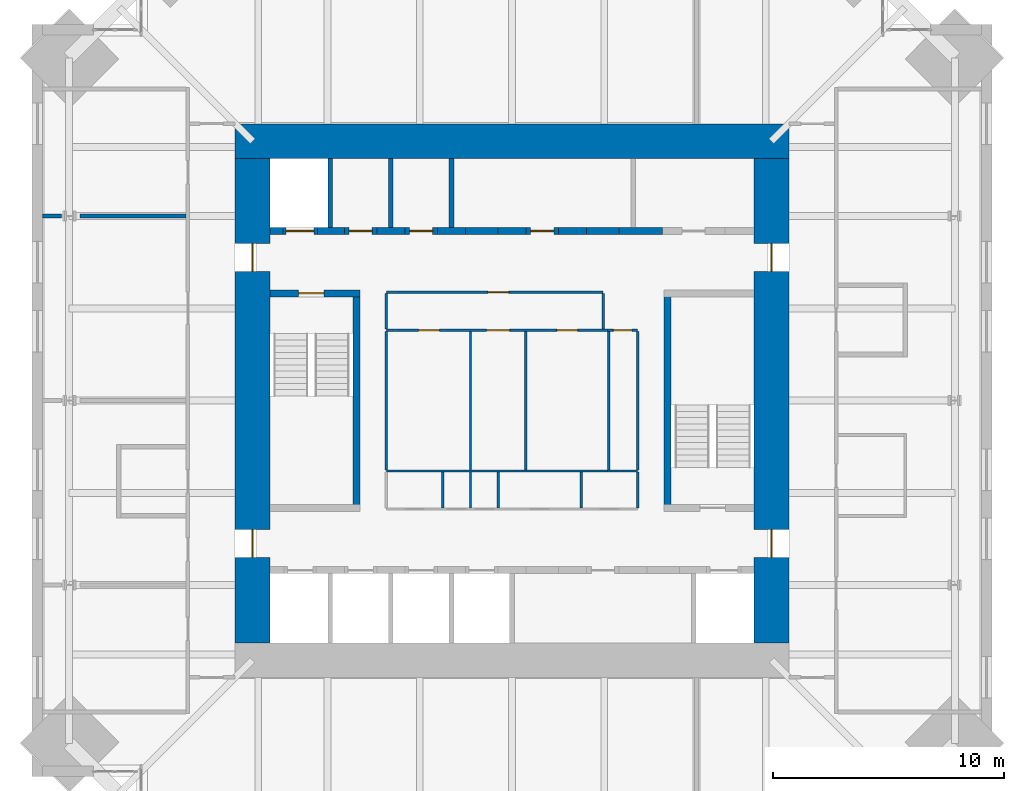
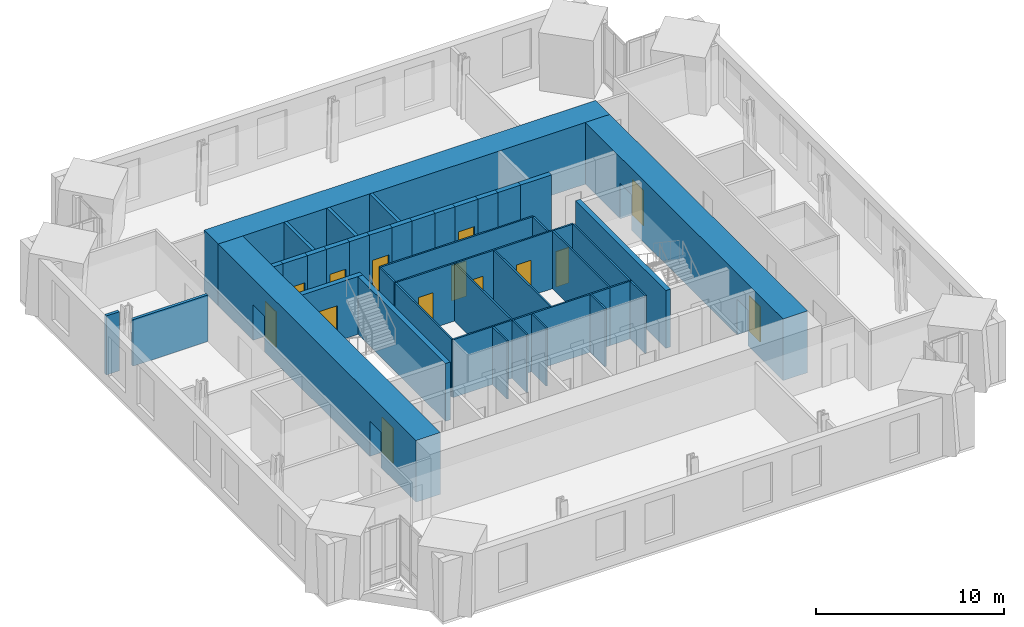
# One storey, part 12 of 15: 41 walls, 14 doors, 14 openings.
"""IFC4 building model written with IfcOpenShell, lengths in metres."""

import ifcopenshell
import ifcopenshell.guid

model = None  # the IFC model being written
_history = None  # IfcOwnerHistory: only IFC2X3 demands one
_inside = {}  # id of a spatial element -> (the spatial element, [elements in it])
_under = {}  # id of a project, library or spatial element -> (it, [spatial elements below it])
_declared = {}  # id of a project -> (the project, [libraries it declares])
_typed = {}  # id of a type object -> (the type object, [elements of that type])
_made_of = {}  # id of a material, layer set ... -> (it, [elements and type objects made of it])


def new_model(schema):
    """Start an empty IFC model of exactly this schema.

    Asked for "IFC4X3", IfcOpenShell would pick the latest addendum, in which some entities
    have other attributes; the version numbers below select the first issue.
    IFC2X3 requires an IfcOwnerHistory on every rooted entity: one is made here for all.
    """
    global model, _history
    if schema == "IFC4X3":
        model = ifcopenshell.file(schema_version=(4, 3, 0, 0))
    else:
        model = ifcopenshell.file(schema=schema)
    _inside.clear()
    _under.clear()
    _declared.clear()
    _typed.clear()
    _made_of.clear()
    _history = None
    if model.schema == "IFC2X3":
        org = make("IfcOrganization", Name="unknown")
        user = make(
            "IfcPersonAndOrganization",
            ThePerson=make("IfcPerson", FamilyName="unknown"),
            TheOrganization=org,
        )
        app = make(
            "IfcApplication",
            ApplicationDeveloper=org,
            Version="unknown",
            ApplicationFullName="unknown",
            ApplicationIdentifier="unknown",
        )
        _history = make(
            "IfcOwnerHistory",
            OwningUser=user,
            OwningApplication=app,
            ChangeAction="ADDED",
            CreationDate=0,
        )
    return model


def make(cls, **values):
    """One entity of the class cls with the attributes given. An attribute that is None is left unset."""
    return model.create_entity(
        cls, **{name: value for name, value in values.items() if value is not None}
    )


def rooted(cls, **values):
    """An entity with a GlobalId (a new one), such as an element, a storey or a relation."""
    return make(cls, GlobalId=ifcopenshell.guid.new(), OwnerHistory=_history, **values)


def si_unit(unit_type, name, prefix=None):
    """IfcSIUnit, for example si_unit("LENGTHUNIT", "METRE", prefix="MILLI")."""
    return make("IfcSIUnit", UnitType=unit_type, Prefix=prefix, Name=name)


def assignment(units):
    """IfcUnitAssignment: the units of a project."""
    return None if units is None else make("IfcUnitAssignment", Units=units)


def point(xyz):
    """IfcCartesianPoint."""
    return None if xyz is None else make("IfcCartesianPoint", Coordinates=xyz)


def direction(xyz):
    """IfcDirection."""
    return None if xyz is None else make("IfcDirection", DirectionRatios=xyz)


def frame(location, z_axis=None, x_axis=None):
    """IfcAxis2Placement3D, a coordinate frame: its origin and axes. An axis left out is left unset."""
    return make(
        "IfcAxis2Placement3D",
        Location=point(location),
        Axis=direction(z_axis),
        RefDirection=direction(x_axis),
    )


def frame_2d(location, x_axis=None):
    """IfcAxis2Placement2D, a coordinate frame in the plane: its origin and x axis."""
    return make(
        "IfcAxis2Placement2D", Location=point(location), RefDirection=direction(x_axis)
    )


def origin():
    """The frame at (0, 0, 0) with its axes left unset."""
    return frame((0.0, 0.0, 0.0))


def place(relative_to, where):
    """IfcLocalPlacement: puts the frame where relative to a parent placement (None: the world)."""
    return make(
        "IfcLocalPlacement", PlacementRelTo=relative_to, RelativePlacement=where
    )


def context(
    kind, dimensions, precision=None, world=None, true_north=None, identifier=None
):
    """IfcGeometricRepresentationContext, for example the 3D "Model" context."""
    return make(
        "IfcGeometricRepresentationContext",
        ContextIdentifier=identifier,
        ContextType=kind,
        CoordinateSpaceDimension=dimensions,
        Precision=precision,
        WorldCoordinateSystem=world,
        TrueNorth=true_north,
    )


def subcontext(parent, identifier, kind, view, scale=None):
    """IfcGeometricRepresentationSubContext, for example "Body" below "Model"."""
    return make(
        "IfcGeometricRepresentationSubContext",
        ContextIdentifier=identifier,
        ContextType=kind,
        ParentContext=parent,
        TargetScale=scale,
        TargetView=view,
    )


def project(units=None, contexts=None):
    """IfcProject with its units and contexts."""
    return rooted(
        "IfcProject",
        Name="project",
        RepresentationContexts=contexts,
        UnitsInContext=assignment(units),
    )


def spatial(cls, under=None, at=None, **own):
    """A site, building, storey or space (cls), placed at a placement, below another one or the project."""
    s = rooted(cls, ObjectPlacement=at, **own)
    if under is not None:
        _under.setdefault(under.id(), (under, []))[1].append(s)
    return s


def profile(cls, at=None, kind="AREA", **sizes):
    """A parametric profile (cls). Its sizes go by their IFC names, for example OverallWidth=200.0."""
    return make(cls, ProfileType=kind, Position=at, **sizes)


def rectangle(**sizes):
    """IfcRectangleProfileDef."""
    return profile("IfcRectangleProfileDef", **sizes)


def extrude(swept, where, along, depth):
    """IfcExtrudedAreaSolid: the profile swept, set in the frame where, extruded along a direction by depth."""
    return make(
        "IfcExtrudedAreaSolid",
        SweptArea=swept,
        Position=where,
        ExtrudedDirection=direction(along),
        Depth=depth,
    )


def shape(context_of_items, identifier, shape_type, items):
    """IfcShapeRepresentation: the items that make up one representation, for example the "Body"."""
    return make(
        "IfcShapeRepresentation",
        ContextOfItems=context_of_items,
        RepresentationIdentifier=identifier,
        RepresentationType=shape_type,
        Items=items,
    )


def material(Name=None, Category=None):
    """IfcMaterial."""
    return make("IfcMaterial", Name=Name, Category=Category)


def layer(
    of_material, thickness, ventilated=None, Name=None, Category=None, Priority=None
):
    """IfcMaterialLayer: one layer of a wall or slab, of a material (None: an air gap)."""
    return make(
        "IfcMaterialLayer",
        Material=of_material,
        LayerThickness=thickness,
        IsVentilated=ventilated,
        Name=Name,
        Category=Category,
        Priority=Priority,
    )


def layer_set(layers, Name=None):
    """IfcMaterialLayerSet."""
    return make("IfcMaterialLayerSet", MaterialLayers=layers, LayerSetName=Name)


def made_of(thing, what):
    """Note that an element or type object is made of a material, layer set ...; save() writes the relation."""
    if what is not None:
        _made_of.setdefault(what.id(), (what, []))[1].append(thing)
    return thing


def type_object(cls, material=None, **own):
    """A type object (cls), such as IfcWallType, which elements share."""
    return made_of(rooted(cls, **own), material)


def element(
    cls,
    number,
    at=None,
    inside=None,
    cuts=None,
    type_object=None,
    material=None,
    context=None,
    identifier="Body",
    shape_type=None,
    held_by="IfcProductDefinitionShape",
    body=None,
    shapes=None,
    **own,
):
    """One element of the class cls, such as IfcWall. Its Tag is "e" and its number.

    at: its placement. inside: the storey or other place that contains it. cuts: it is an
    opening in that element (IfcRelVoidsElement). A single representation is given by context,
    identifier, shape_type and body (its items); several are given by shapes. held_by: the class
    of the entity that holds the representations. save() writes the other relations.
    """
    e = rooted(cls, Tag="e%d" % number, ObjectPlacement=at, **own)
    if body is not None:
        shapes = [shape(context, identifier, shape_type, body)]
    if shapes is not None:
        e.Representation = make(held_by, Representations=shapes)
    if inside is not None:
        _inside.setdefault(inside.id(), (inside, []))[1].append(e)
    if cuts is not None:
        rooted(
            "IfcRelVoidsElement", RelatingBuildingElement=cuts, RelatedOpeningElement=e
        )
    if type_object is not None:
        _typed.setdefault(type_object.id(), (type_object, []))[1].append(e)
    return made_of(e, material)


def fill(opening, filler):
    """IfcRelFillsElement: the door or window that sits in an opening."""
    return rooted(
        "IfcRelFillsElement",
        RelatingOpeningElement=opening,
        RelatedBuildingElement=filler,
    )


def aggregate(whole, parts):
    """IfcRelAggregates: a whole, such as a stair, and the parts it consists of."""
    return rooted("IfcRelAggregates", RelatingObject=whole, RelatedObjects=parts)


def save(model, path):
    """Write the relations noted so far, then the file.

    IfcRelAggregates (storeys below a building ...), IfcRelContainedInSpatialStructure (elements
    in a storey), IfcRelDefinesByType, IfcRelAssociatesMaterial and IfcRelDeclares: one each for
    every whole, place, type object, material and project.
    """
    for whole, parts in _under.values():
        aggregate(whole, parts)
    for where, things in _inside.values():
        rooted(
            "IfcRelContainedInSpatialStructure",
            RelatedElements=things,
            RelatingStructure=where,
        )
    for kind, things in _typed.values():
        rooted("IfcRelDefinesByType", RelatedObjects=things, RelatingType=kind)
    for what, things in _made_of.values():
        rooted("IfcRelAssociatesMaterial", RelatedObjects=things, RelatingMaterial=what)
    for by, libraries in _declared.values():
        rooted("IfcRelDeclares", RelatingContext=by, RelatedDefinitions=libraries)
    model.write(path)


model = new_model("IFC4")

# Units and contexts
model_context = context("Model", 3, precision=1e-05, world=origin(), true_north=direction((0.0, 1.0)))
body_context = subcontext(model_context, "Body", "Model", "MODEL_VIEW")
ifc_project = project(units=[si_unit("LENGTHUNIT", "METRE"), si_unit("AREAUNIT", "SQUARE_METRE"), si_unit("VOLUMEUNIT", "CUBIC_METRE"), si_unit("PLANEANGLEUNIT", "RADIAN"), si_unit("MASSUNIT", "GRAM", prefix="KILO")], contexts=[model_context])

# Site, building, storey
site_placement = place(None, origin())
site = spatial("IfcSite", under=ifc_project, at=site_placement, CompositionType="ELEMENT")
building_placement = place(site_placement, origin())
building = spatial("IfcBuilding", under=site, at=building_placement, Name="Peilmerk Tower", CompositionType="ELEMENT")
storey_placement = place(building_placement, frame((0.0, 0.0, 289.800048828125)))
storey = spatial("IfcBuildingStorey", under=building, at=storey_placement, Name="L65", CompositionType="ELEMENT", Elevation=289.800048828125)

# Wall
ifc_material_1 = material(Name="Concrete C35/45", Category="concrete")
ifc_layer_1 = layer(ifc_material_1, 0.300048828125)
ifc_layer_set_1 = layer_set([ifc_layer_1], Name="Concrete C35/45")
wall_type_1 = type_object("IfcWallType", Name="IW3 300 concrete stair enclosure wall, EI 120", PredefinedType="SOLIDWALL", material=ifc_layer_set_1)
wall_1_placement = place(storey_placement, frame((-6.75, -4.800048828125, 0.0), z_axis=(0.0, 0.0, 1.0), x_axis=(0.0, 1.0, 0.0)))
element("IfcWall", 1, at=wall_1_placement, inside=storey, type_object=wall_type_1, Name="Stair 1 enclosure L65", PredefinedType="SOLIDWALL", context=body_context, shape_type="SweptSolid", body=[
    extrude(rectangle(XDim=9.60009765625, YDim=0.300048828125, at=frame_2d((4.800048828125, 0.0))), origin(), (0.0, 0.0, 1.0), 3.75),
])

# Wall, opening, door
wall_2_placement = place(storey_placement, frame((-10.5, 4.64990234375, 0.0), z_axis=(0.0, 0.0, 1.0), x_axis=(1.0, 0.0, 0.0)))
wall_2 = element("IfcWall", 2, at=wall_2_placement, inside=storey, type_object=wall_type_1, Name="Stair 1 enclosure L65", PredefinedType="SOLIDWALL", context=body_context, shape_type="SweptSolid", body=[
    extrude(rectangle(XDim=3.89990234375, YDim=0.300048828125, at=frame_2d((1.949951171875, 0.0))), origin(), (0.0, 0.0, 1.0), 3.75),
])
opening_1_placement = place(wall_2_placement, frame((1.25, 0.0, 0.0)))
opening_1 = element("IfcOpeningElement", 3, at=opening_1_placement, cuts=wall_2, Name="Opening D4", PredefinedType="OPENING", context=body_context, shape_type="SweptSolid", body=[
    extrude(rectangle(XDim=1.10009765625, YDim=2.300048828125, at=frame_2d((0.550048828125, 1.14990234375))), frame((0.0, 0.159912109375, 0.0), z_axis=(0.0, -1.0, 0.0), x_axis=(1.0, 0.0, 0.0)), (0.0, 0.0, 1.0), 0.320068359375),
])
ifc_material_2 = material(Name="Steel door in steel frame", Category="steel")
door_type_1 = type_object("IfcDoorType", Name="D4 1100x2300 stair door, EI2 60", OperationType="SINGLE_SWING_RIGHT", PredefinedType="DOOR", material=ifc_material_2)
door_1_placement = place(opening_1_placement, frame((1.10009765625, 0.0, 0.0), z_axis=(0.0, 0.0, 1.0), x_axis=(-1.0, 0.0, 0.0)))
door_1 = element("IfcDoor", 4, at=door_1_placement, inside=storey, type_object=door_type_1, Name="Stair 1 door L65", OperationType="SINGLE_SWING_RIGHT", OverallHeight=2.300048828125, OverallWidth=1.10009765625, PredefinedType="DOOR", context=body_context, shape_type="SweptSolid", body=[
    extrude(rectangle(XDim=1.10009765625, YDim=2.300048828125, at=frame_2d((0.550048828125, 1.14990234375))), frame((0.0, 0.02490234375, 0.0), z_axis=(0.0, -1.0, 0.0), x_axis=(1.0, 0.0, 0.0)), (0.0, 0.0, 1.0), 0.050048828125),
])
fill(opening_1, door_1)

# Wall
wall_3_placement = place(storey_placement, frame((6.75, -4.800048828125, 0.0), z_axis=(0.0, 0.0, 1.0), x_axis=(0.0, 1.0, 0.0)))
element("IfcWall", 5, at=wall_3_placement, inside=storey, type_object=wall_type_1, Name="Stair 2 enclosure L65", PredefinedType="SOLIDWALL", context=body_context, shape_type="SweptSolid", body=[
    extrude(rectangle(XDim=9.60009765625, YDim=0.300048828125, at=frame_2d((4.800048828125, 0.0))), origin(), (0.0, 0.0, 1.0), 3.75),
])

# Wall, openings, doors
ifc_material_3 = material(Name="Plasterboard on steel studs", Category="steel")
ifc_layer_2 = layer(ifc_material_3, 0.10009765625)
ifc_layer_set_2 = layer_set([ifc_layer_2], Name="Plasterboard on steel studs")
wall_type_2 = type_object("IfcWallType", Name="IW4 100 WC partition", PredefinedType="PARTITIONING", material=ifc_layer_set_2)
wall_4_placement = place(storey_placement, frame((-5.449951171875, 3.050048828125, 0.0), z_axis=(0.0, 0.0, 1.0), x_axis=(1.0, 0.0, 0.0)))
wall_4 = element("IfcWall", 6, at=wall_4_placement, inside=storey, type_object=wall_type_2, Name="WC wall L65", PredefinedType="PARTITIONING", context=body_context, shape_type="SweptSolid", body=[
    extrude(rectangle(XDim=9.599853515625, YDim=0.10009765625, at=frame_2d((4.7998046875, 0.0))), origin(), (0.0, 0.0, 1.0), 3.75),
])
opening_2_placement = place(wall_4_placement, frame((1.39990234375, 0.0, 0.0)))
opening_2 = element("IfcOpeningElement", 7, at=opening_2_placement, cuts=wall_4, Name="Opening D5", PredefinedType="OPENING", context=body_context, shape_type="SweptSolid", body=[
    extrude(rectangle(XDim=0.89990234375, YDim=2.300048828125, at=frame_2d((0.449951171875, 1.14990234375))), frame((0.0, 0.06005859375, 0.0), z_axis=(0.0, -1.0, 0.0), x_axis=(1.0, 0.0, 0.0)), (0.0, 0.0, 1.0), 0.1201171875),
])
opening_3_placement = place(wall_4_placement, frame((4.35009765625, 0.0, 0.0)))
opening_3 = element("IfcOpeningElement", 8, at=opening_3_placement, cuts=wall_4, Name="Opening D6", PredefinedType="OPENING", context=body_context, shape_type="SweptSolid", body=[
    extrude(rectangle(XDim=1.0, YDim=2.300048828125, at=frame_2d((0.5, 1.14990234375))), frame((0.0, 0.06005859375, 0.0), z_axis=(0.0, -1.0, 0.0), x_axis=(1.0, 0.0, 0.0)), (0.0, 0.0, 1.0), 0.1201171875),
])
opening_4_placement = place(wall_4_placement, frame((7.39990234375, 0.0, 0.0)))
opening_4 = element("IfcOpeningElement", 9, at=opening_4_placement, cuts=wall_4, Name="Opening D5", PredefinedType="OPENING", context=body_context, shape_type="SweptSolid", body=[
    extrude(rectangle(XDim=0.89990234375, YDim=2.300048828125, at=frame_2d((0.449951171875, 1.14990234375))), frame((0.0, 0.06005859375, 0.0), z_axis=(0.0, -1.0, 0.0), x_axis=(1.0, 0.0, 0.0)), (0.0, 0.0, 1.0), 0.1201171875),
])
ifc_material_4 = material(Name="Timber door in steel frame", Category="steel")
door_type_2 = type_object("IfcDoorType", Name="D5 900x2300 WC door", OperationType="SINGLE_SWING_LEFT", PredefinedType="DOOR", material=ifc_material_4)
door_2_placement = place(opening_2_placement, frame((0.89990234375, 0.0, 0.0), z_axis=(0.0, 0.0, 1.0), x_axis=(-1.0, 0.0, 0.0)))
door_2 = element("IfcDoor", 10, at=door_2_placement, inside=storey, type_object=door_type_2, Name="Female toilets door L65", OperationType="SINGLE_SWING_LEFT", OverallHeight=2.300048828125, OverallWidth=0.89990234375, PredefinedType="DOOR", context=body_context, shape_type="SweptSolid", body=[
    extrude(rectangle(XDim=0.89990234375, YDim=2.300048828125, at=frame_2d((0.449951171875, 1.14990234375))), frame((0.0, 0.02490234375, 0.0), z_axis=(0.0, -1.0, 0.0), x_axis=(1.0, 0.0, 0.0)), (0.0, 0.0, 1.0), 0.050048828125),
])
fill(opening_2, door_2)
door_3_placement = place(opening_4_placement, frame((0.89990234375, 0.0, 0.0), z_axis=(0.0, 0.0, 1.0), x_axis=(-1.0, 0.0, 0.0)))
door_3 = element("IfcDoor", 11, at=door_3_placement, inside=storey, type_object=door_type_2, Name="Male toilets door L65", OperationType="SINGLE_SWING_LEFT", OverallHeight=2.300048828125, OverallWidth=0.89990234375, PredefinedType="DOOR", context=body_context, shape_type="SweptSolid", body=[
    extrude(rectangle(XDim=0.89990234375, YDim=2.300048828125, at=frame_2d((0.449951171875, 1.14990234375))), frame((0.0, 0.02490234375, 0.0), z_axis=(0.0, -1.0, 0.0), x_axis=(1.0, 0.0, 0.0)), (0.0, 0.0, 1.0), 0.050048828125),
])
fill(opening_4, door_3)
door_type_3 = type_object("IfcDoorType", Name="D6 1000x2300 accessible WC door", OperationType="SLIDING_TO_LEFT", PredefinedType="DOOR", material=ifc_material_4)
door_4_placement = place(opening_3_placement, frame((1.0, 0.0, 0.0), z_axis=(0.0, 0.0, 1.0), x_axis=(-1.0, 0.0, 0.0)))
door_4 = element("IfcDoor", 12, at=door_4_placement, inside=storey, type_object=door_type_3, Name="Accessible WC door L65", OperationType="SLIDING_TO_LEFT", OverallHeight=2.300048828125, OverallWidth=1.0, PredefinedType="DOOR", context=body_context, shape_type="SweptSolid", body=[
    extrude(rectangle(XDim=1.0, YDim=2.300048828125, at=frame_2d((0.5, 1.14990234375))), frame((0.0, 0.02490234375, 0.0), z_axis=(0.0, -1.0, 0.0), x_axis=(1.0, 0.0, 0.0)), (0.0, 0.0, 1.0), 0.050048828125),
])
fill(opening_3, door_4)

# Walls
wall_5_placement = place(storey_placement, frame((4.14990234375, -3.050048828125, 0.0), z_axis=(0.0, 0.0, 1.0), x_axis=(-1.0, 0.0, 0.0)))
element("IfcWall", 13, at=wall_5_placement, inside=storey, type_object=wall_type_2, Name="WC wall L65", PredefinedType="PARTITIONING", context=body_context, shape_type="SweptSolid", body=[
    extrude(rectangle(XDim=9.599853515625, YDim=0.10009765625, at=frame_2d((4.7998046875, 0.0))), origin(), (0.0, 0.0, 1.0), 3.75),
])
for number, where, z_axis, x_axis, name in (
    (14, (-5.449951171875, -3.0, 0.0), (0.0, 0.0, 1.0), (0.0, 1.0, 0.0), "WC wall L65"),
    (15, (-1.800048828125, -3.0, 0.0), (0.0, 0.0, 1.0), (0.0, 1.0, 0.0), "WC wall L65"),
    (16, (0.60009765625, -3.0, 0.0), (0.0, 0.0, 1.0), (0.0, 1.0, 0.0), "WC wall L65"),
):
    element("IfcWall", number, at=place(storey_placement, frame(where, z_axis=z_axis, x_axis=x_axis)), inside=storey, type_object=wall_type_2, Name=name, PredefinedType="PARTITIONING", context=body_context, shape_type="SweptSolid", body=[
        extrude(rectangle(XDim=6.0, YDim=0.10009765625, at=frame_2d((3.0, 0.0))), origin(), (0.0, 0.0, 1.0), 3.75),
    ])

# Wall, opening, door
ifc_material_5 = material(Name="Calcium silicate board on steel studs", Category="steel")
ifc_layer_3 = layer(ifc_material_5, 0.10009765625)
ifc_layer_set_3 = layer_set([ifc_layer_3], Name="Calcium silicate board on steel studs")
wall_type_3 = type_object("IfcWallType", Name="IW5 100 riser enclosure wall, EI 60", PredefinedType="PARTITIONING", material=ifc_layer_set_3)
wall_6_placement = place(storey_placement, frame((4.14990234375, 3.050048828125, 0.0), z_axis=(0.0, 0.0, 1.0), x_axis=(1.0, 0.0, 0.0)))
wall_6 = element("IfcWall", 17, at=wall_6_placement, inside=storey, type_object=wall_type_3, Name="Riser wall L65", PredefinedType="PARTITIONING", context=body_context, shape_type="SweptSolid", body=[
    extrude(rectangle(XDim=1.300048828125, YDim=0.10009765625, at=frame_2d((0.64990234375, 0.0))), origin(), (0.0, 0.0, 1.0), 3.75),
])
opening_5_placement = place(wall_6_placement, frame((0.25, 0.0, 0.0)))
opening_5 = element("IfcOpeningElement", 18, at=opening_5_placement, cuts=wall_6, Name="Opening D7", PredefinedType="OPENING", context=body_context, shape_type="SweptSolid", body=[
    extrude(rectangle(XDim=0.800048828125, YDim=2.300048828125, at=frame_2d((0.39990234375, 1.14990234375))), frame((0.0, 0.06005859375, 0.0), z_axis=(0.0, -1.0, 0.0), x_axis=(1.0, 0.0, 0.0)), (0.0, 0.0, 1.0), 0.1201171875),
])
door_type_4 = type_object("IfcDoorType", Name="D7 800x2300 riser access door, EI2 60", OperationType="SINGLE_SWING_RIGHT", PredefinedType="DOOR", material=ifc_material_2)
door_5_placement = place(opening_5_placement, frame((0.800048828125, 0.0, 0.0), z_axis=(0.0, 0.0, 1.0), x_axis=(-1.0, 0.0, 0.0)))
door_5 = element("IfcDoor", 19, at=door_5_placement, inside=storey, type_object=door_type_4, Name="Plumbing riser door L65", OperationType="SINGLE_SWING_RIGHT", OverallHeight=2.300048828125, OverallWidth=0.800048828125, PredefinedType="DOOR", context=body_context, shape_type="SweptSolid", body=[
    extrude(rectangle(XDim=0.800048828125, YDim=2.300048828125, at=frame_2d((0.39990234375, 1.14990234375))), frame((0.0, 0.02490234375, 0.0), z_axis=(0.0, -1.0, 0.0), x_axis=(1.0, 0.0, 0.0)), (0.0, 0.0, 1.0), 0.050048828125),
])
fill(opening_5, door_5)

# Walls
wall_7_placement = place(storey_placement, frame((5.449951171875, -3.050048828125, 0.0), z_axis=(0.0, 0.0, 1.0), x_axis=(-1.0, 0.0, 0.0)))
element("IfcWall", 20, at=wall_7_placement, inside=storey, type_object=wall_type_3, Name="Riser wall L65", PredefinedType="PARTITIONING", context=body_context, shape_type="SweptSolid", body=[
    extrude(rectangle(XDim=1.300048828125, YDim=0.10009765625, at=frame_2d((0.64990234375, 0.0))), origin(), (0.0, 0.0, 1.0), 3.75),
])
for number, where, z_axis, x_axis, name in (
    (21, (5.449951171875, 3.0, 0.0), (0.0, 0.0, 1.0), (0.0, -1.0, 0.0), "Riser wall L65"),
    (22, (4.199951171875, -3.0, 0.0), (0.0, 0.0, 1.0), (0.0, 1.0, 0.0), "Riser wall L65"),
):
    element("IfcWall", number, at=place(storey_placement, frame(where, z_axis=z_axis, x_axis=x_axis)), inside=storey, type_object=wall_type_3, Name=name, PredefinedType="PARTITIONING", context=body_context, shape_type="SweptSolid", body=[
        extrude(rectangle(XDim=6.0, YDim=0.10009765625, at=frame_2d((3.0, 0.0))), origin(), (0.0, 0.0, 1.0), 3.75),
    ])
for number, where, z_axis, x_axis, name in (
    (23, (5.449951171875, -3.10009765625, 0.0), (0.0, 0.0, 1.0), (0.0, -1.0, 0.0), "Riser wall L65"),
    (24, (-3.0, -3.10009765625, 0.0), (0.0, 0.0, 1.0), (0.0, -1.0, 0.0), "Riser wall L65"),
    (25, (-1.800048828125, -3.10009765625, 0.0), (0.0, 0.0, 1.0), (0.0, -1.0, 0.0), "Riser wall L65"),
    (26, (-0.60009765625, -3.10009765625, 0.0), (0.0, 0.0, 1.0), (0.0, -1.0, 0.0), "Riser wall L65"),
    (27, (3.0, -3.10009765625, 0.0), (0.0, 0.0, 1.0), (0.0, -1.0, 0.0), "Riser wall L65"),
):
    element("IfcWall", number, at=place(storey_placement, frame(where, z_axis=z_axis, x_axis=x_axis)), inside=storey, type_object=wall_type_3, Name=name, PredefinedType="PARTITIONING", context=body_context, shape_type="SweptSolid", body=[
        extrude(rectangle(XDim=1.5498046875, YDim=0.10009765625, at=frame_2d((0.77490234375, 0.0))), origin(), (0.0, 0.0, 1.0), 3.75),
    ])
ifc_material_6 = material(Name="Calcium silicate block", Category="masonry")
ifc_layer_4 = layer(ifc_material_6, 0.175048828125)
ifc_layer_set_4 = layer_set([ifc_layer_4], Name="Calcium silicate block")
wall_type_4 = type_object("IfcWallType", Name="IW8 175 tenant separating wall, EI 60", PredefinedType="PARTITIONING", material=ifc_layer_set_4)
wall_8_placement = place(storey_placement, frame((-14.125, 8.0, 0.0), z_axis=(0.0, 0.0, 1.0), x_axis=(-1.0, 0.0, 0.0)))
element("IfcWall", 28, at=wall_8_placement, inside=storey, type_object=wall_type_4, Name="Tenant separating wall W3 L65", PredefinedType="PARTITIONING", context=body_context, shape_type="SweptSolid", body=[
    extrude(rectangle(XDim=4.595458984375, YDim=0.175048828125, at=frame_2d((2.2978515625, 0.0))), origin(), (0.0, 0.0, 1.0), 3.015869140625),
])
wall_9_placement = place(storey_placement, frame((-19.541015625, 8.0, 0.0), z_axis=(0.0, 0.0, 1.0), x_axis=(-1.0, 0.0, 0.0)))
element("IfcWall", 29, at=wall_9_placement, inside=storey, type_object=wall_type_4, Name="Tenant separating wall W3b L65", PredefinedType="PARTITIONING", context=body_context, shape_type="SweptSolid", body=[
    extrude(rectangle(XDim=0.80908203125, YDim=0.175048828125, at=frame_2d((0.404541015625, 0.0))), origin(), (0.0, 0.0, 1.0), 3.829833984375),
])

# Wall, opening, door
ifc_material_7 = material(Name="Fire-resisting plasterboard on steel studs", Category="steel")
ifc_layer_5 = layer(ifc_material_7, 0.10009765625)
ifc_layer_set_5 = layer_set([ifc_layer_5], Name="Fire-resisting plasterboard on steel studs")
wall_type_5 = type_object("IfcWallType", Name="IW9 100 WC lobby wall, EI 30", PredefinedType="PARTITIONING", material=ifc_layer_set_5)
wall_10_placement = place(storey_placement, frame((-5.449951171875, 4.699951171875, 0.0), z_axis=(0.0, 0.0, 1.0), x_axis=(1.0, 0.0, 0.0)))
wall_10 = element("IfcWall", 30, at=wall_10_placement, inside=storey, type_object=wall_type_5, Name="WC lobby wall L65", PredefinedType="PARTITIONING", context=body_context, shape_type="SweptSolid", body=[
    extrude(rectangle(XDim=9.39990234375, YDim=0.10009765625, at=frame_2d((4.699951171875, 0.0))), origin(), (0.0, 0.0, 1.0), 3.75),
])
opening_6_placement = place(wall_10_placement, frame((4.39990234375, 0.0, 0.0)))
opening_6 = element("IfcOpeningElement", 31, at=opening_6_placement, cuts=wall_10, Name="Opening D11", PredefinedType="OPENING", context=body_context, shape_type="SweptSolid", body=[
    extrude(rectangle(XDim=0.89990234375, YDim=2.300048828125, at=frame_2d((0.449951171875, 1.14990234375))), frame((0.0, 0.06005859375, 0.0), z_axis=(0.0, -1.0, 0.0), x_axis=(1.0, 0.0, 0.0)), (0.0, 0.0, 1.0), 0.1201171875),
])
door_type_5 = type_object("IfcDoorType", Name="D11 900x2300 WC lobby door, EI2 30", OperationType="SINGLE_SWING_LEFT", PredefinedType="DOOR", material=ifc_material_4)
door_6_placement = place(opening_6_placement, frame((0.89990234375, 0.0, 0.0), z_axis=(0.0, 0.0, 1.0), x_axis=(-1.0, 0.0, 0.0)))
door_6 = element("IfcDoor", 32, at=door_6_placement, inside=storey, type_object=door_type_5, Name="WC lobby door L65", OperationType="SINGLE_SWING_LEFT", OverallHeight=2.300048828125, OverallWidth=0.89990234375, PredefinedType="DOOR", context=body_context, shape_type="SweptSolid", body=[
    extrude(rectangle(XDim=0.89990234375, YDim=2.300048828125, at=frame_2d((0.449951171875, 1.14990234375))), frame((0.0, 0.02490234375, 0.0), z_axis=(0.0, -1.0, 0.0), x_axis=(1.0, 0.0, 0.0)), (0.0, 0.0, 1.0), 0.050048828125),
])
fill(opening_6, door_6)

# Walls
for number, where, z_axis, x_axis, name in (
    (33, (-5.449951171875, 3.10009765625, 0.0), (0.0, 0.0, 1.0), (0.0, 1.0, 0.0), "WC lobby wall L65"),
    (34, (3.949951171875, 3.10009765625, 0.0), (0.0, 0.0, 1.0), (0.0, 1.0, 0.0), "WC lobby wall L65"),
):
    element("IfcWall", number, at=place(storey_placement, frame(where, z_axis=z_axis, x_axis=x_axis)), inside=storey, type_object=wall_type_5, Name=name, PredefinedType="PARTITIONING", context=body_context, shape_type="SweptSolid", body=[
        extrude(rectangle(XDim=1.5498046875, YDim=0.10009765625, at=frame_2d((0.77490234375, 0.0))), origin(), (0.0, 0.0, 1.0), 3.75),
    ])
ifc_layer_6 = layer(ifc_material_6, 0.199951171875)
ifc_layer_set_6 = layer_set([ifc_layer_6], Name="Calcium silicate block")
wall_type_6 = type_object("IfcWallType", Name="SH1 200 shaft dividing wall, EI 120", PredefinedType="PARTITIONING", material=ifc_layer_set_6)
for number, where, z_axis, x_axis, name in (
    (35, (-7.875, 7.5, 0.0), (0.0, 0.0, 1.0), (0.0, 1.0, 0.0), "Shaft wall N FL1 L65"),
    (36, (-5.25, 7.5, 0.0), (0.0, 0.0, 1.0), (0.0, 1.0, 0.0), "Shaft wall N A1 L65"),
    (37, (-2.625, 7.5, 0.0), (0.0, 0.0, 1.0), (0.0, 1.0, 0.0), "Shaft wall N A2 L65"),
):
    element("IfcWall", number, at=place(storey_placement, frame(where, z_axis=z_axis, x_axis=x_axis)), inside=storey, type_object=wall_type_6, Name=name, PredefinedType="PARTITIONING", context=body_context, shape_type="SweptSolid", body=[
        extrude(rectangle(XDim=3.0, YDim=0.199951171875, at=frame_2d((1.5, 0.0))), origin(), (0.0, 0.0, 1.0), 4.0),
    ])

# Wall, opening, door
ifc_layer_7 = layer(ifc_material_6, 0.300048828125)
ifc_layer_set_7 = layer_set([ifc_layer_7], Name="Calcium silicate block")
wall_type_7 = type_object("IfcWallType", Name="SH2 300 lift landing door panel, EI 120", PredefinedType="PARTITIONING", material=ifc_layer_set_7)
wall_11_placement = place(storey_placement, frame((-9.9375, 7.35009765625, 0.0), z_axis=(0.0, 0.0, 1.0), x_axis=(1.0, 0.0, 0.0)))
wall_11 = element("IfcWall", 38, at=wall_11_placement, inside=storey, type_object=wall_type_7, Name="Lift door panel N FL1 L65", PredefinedType="PARTITIONING", context=body_context, shape_type="SweptSolid", body=[
    extrude(rectangle(XDim=1.5, YDim=0.300048828125, at=frame_2d((0.75, 0.0))), origin(), (0.0, 0.0, 1.0), 4.0),
])
opening_7_placement = place(wall_11_placement, frame((0.14990234375, 0.0, 0.0)))
opening_7 = element("IfcOpeningElement", 39, at=opening_7_placement, cuts=wall_11, Name="Opening LD2", PredefinedType="OPENING", context=body_context, shape_type="SweptSolid", body=[
    extrude(rectangle(XDim=1.199951171875, YDim=2.300048828125, at=frame_2d((0.60009765625, 1.14990234375))), frame((0.0, 0.159912109375, 0.0), z_axis=(0.0, -1.0, 0.0), x_axis=(1.0, 0.0, 0.0)), (0.0, 0.0, 1.0), 0.320068359375),
])
ifc_material_8 = material(Name="Stainless steel landing door", Category="steel")
door_type_6 = type_object("IfcDoorType", Name="LD2 1200x2300 lift landing door, sliding, EI2 60", OperationType="SLIDING_TO_LEFT", PredefinedType="DOOR", material=ifc_material_8)
door_7_placement = place(opening_7_placement, frame((1.199951171875, 0.0, 0.0), z_axis=(0.0, 0.0, 1.0), x_axis=(-1.0, 0.0, 0.0)))
door_7 = element("IfcDoor", 40, at=door_7_placement, inside=storey, type_object=door_type_6, Name="Lift landing door FL1 L65", OperationType="SLIDING_TO_LEFT", OverallHeight=2.300048828125, OverallWidth=1.199951171875, PredefinedType="DOOR", context=body_context, shape_type="SweptSolid", body=[
    extrude(rectangle(XDim=1.199951171875, YDim=2.300048828125, at=frame_2d((0.60009765625, 1.14990234375))), frame((0.0, 0.02490234375, 0.0), z_axis=(0.0, -1.0, 0.0), x_axis=(1.0, 0.0, 0.0)), (0.0, 0.0, 1.0), 0.050048828125),
])
fill(opening_7, door_7)

wall_12_placement = place(storey_placement, frame((-7.262451171875, 7.35009765625, 0.0), z_axis=(0.0, 0.0, 1.0), x_axis=(1.0, 0.0, 0.0)))
wall_12 = element("IfcWall", 41, at=wall_12_placement, inside=storey, type_object=wall_type_7, Name="Lift door panel N A1 L65", PredefinedType="PARTITIONING", context=body_context, shape_type="SweptSolid", body=[
    extrude(rectangle(XDim=1.39990234375, YDim=0.300048828125, at=frame_2d((0.699951171875, 0.0))), origin(), (0.0, 0.0, 1.0), 4.0),
])
opening_8_placement = place(wall_12_placement, frame((0.199951171875, 0.0, 0.0)))
opening_8 = element("IfcOpeningElement", 42, at=opening_8_placement, cuts=wall_12, Name="Opening D10", PredefinedType="OPENING", context=body_context, shape_type="SweptSolid", body=[
    extrude(rectangle(XDim=1.0, YDim=2.300048828125, at=frame_2d((0.5, 1.14990234375))), frame((0.0, 0.159912109375, 0.0), z_axis=(0.0, -1.0, 0.0), x_axis=(1.0, 0.0, 0.0)), (0.0, 0.0, 1.0), 0.320068359375),
])
door_type_7 = type_object("IfcDoorType", Name="D10 1000x2300 core room door, EI2 60", OperationType="SINGLE_SWING_RIGHT", PredefinedType="DOOR", material=ifc_material_2)
door_8_placement = place(opening_8_placement, origin())
door_8 = element("IfcDoor", 43, at=door_8_placement, inside=storey, type_object=door_type_7, Name="Door Electrical room L65", OperationType="SINGLE_SWING_RIGHT", OverallHeight=2.300048828125, OverallWidth=1.0, PredefinedType="DOOR", context=body_context, shape_type="SweptSolid", body=[
    extrude(rectangle(XDim=1.0, YDim=2.300048828125, at=frame_2d((0.5, 1.14990234375))), frame((0.0, 0.02490234375, 0.0), z_axis=(0.0, -1.0, 0.0), x_axis=(1.0, 0.0, 0.0)), (0.0, 0.0, 1.0), 0.050048828125),
])
fill(opening_8, door_8)

wall_13_placement = place(storey_placement, frame((-4.637451171875, 7.35009765625, 0.0), z_axis=(0.0, 0.0, 1.0), x_axis=(1.0, 0.0, 0.0)))
wall_13 = element("IfcWall", 44, at=wall_13_placement, inside=storey, type_object=wall_type_7, Name="Lift door panel N A2 L65", PredefinedType="PARTITIONING", context=body_context, shape_type="SweptSolid", body=[
    extrude(rectangle(XDim=1.39990234375, YDim=0.300048828125, at=frame_2d((0.699951171875, 0.0))), origin(), (0.0, 0.0, 1.0), 4.0),
])
opening_9_placement = place(wall_13_placement, frame((0.199951171875, 0.0, 0.0)))
opening_9 = element("IfcOpeningElement", 45, at=opening_9_placement, cuts=wall_13, Name="Opening D10", PredefinedType="OPENING", context=body_context, shape_type="SweptSolid", body=[
    extrude(rectangle(XDim=1.0, YDim=2.300048828125, at=frame_2d((0.5, 1.14990234375))), frame((0.0, 0.159912109375, 0.0), z_axis=(0.0, -1.0, 0.0), x_axis=(1.0, 0.0, 0.0)), (0.0, 0.0, 1.0), 0.320068359375),
])
door_9_placement = place(opening_9_placement, origin())
door_9 = element("IfcDoor", 46, at=door_9_placement, inside=storey, type_object=door_type_7, Name="Door Staff WC L65", OperationType="SINGLE_SWING_RIGHT", OverallHeight=2.300048828125, OverallWidth=1.0, PredefinedType="DOOR", context=body_context, shape_type="SweptSolid", body=[
    extrude(rectangle(XDim=1.0, YDim=2.300048828125, at=frame_2d((0.5, 1.14990234375))), frame((0.0, 0.02490234375, 0.0), z_axis=(0.0, -1.0, 0.0), x_axis=(1.0, 0.0, 0.0)), (0.0, 0.0, 1.0), 0.050048828125),
])
fill(opening_9, door_9)

# Wall
wall_14_placement = place(storey_placement, frame((-2.012451171875, 7.35009765625, 0.0), z_axis=(0.0, 0.0, 1.0), x_axis=(1.0, 0.0, 0.0)))
element("IfcWall", 47, at=wall_14_placement, inside=storey, type_object=wall_type_7, Name="Lift door panel N A3 L65", PredefinedType="PARTITIONING", context=body_context, shape_type="SweptSolid", body=[
    extrude(rectangle(XDim=1.39990234375, YDim=0.300048828125, at=frame_2d((0.699951171875, 0.0))), origin(), (0.0, 0.0, 1.0), 4.0),
])

# Wall, opening, door
wall_15_placement = place(storey_placement, frame((0.612548828125, 7.35009765625, 0.0), z_axis=(0.0, 0.0, 1.0), x_axis=(1.0, 0.0, 0.0)))
wall_15 = element("IfcWall", 48, at=wall_15_placement, inside=storey, type_object=wall_type_7, Name="Lift door panel N S1 L65", PredefinedType="PARTITIONING", context=body_context, shape_type="SweptSolid", body=[
    extrude(rectangle(XDim=1.39990234375, YDim=0.300048828125, at=frame_2d((0.699951171875, 0.0))), origin(), (0.0, 0.0, 1.0), 4.0),
])
opening_10_placement = place(wall_15_placement, frame((0.199951171875, 0.0, 0.0)))
opening_10 = element("IfcOpeningElement", 49, at=opening_10_placement, cuts=wall_15, Name="Opening D10", PredefinedType="OPENING", context=body_context, shape_type="SweptSolid", body=[
    extrude(rectangle(XDim=1.0, YDim=2.300048828125, at=frame_2d((0.5, 1.14990234375))), frame((0.0, 0.159912109375, 0.0), z_axis=(0.0, -1.0, 0.0), x_axis=(1.0, 0.0, 0.0)), (0.0, 0.0, 1.0), 0.320068359375),
])
door_10_placement = place(opening_10_placement, origin())
door_10 = element("IfcDoor", 50, at=door_10_placement, inside=storey, type_object=door_type_7, Name="Door Staff room L65", OperationType="SINGLE_SWING_RIGHT", OverallHeight=2.300048828125, OverallWidth=1.0, PredefinedType="DOOR", context=body_context, shape_type="SweptSolid", body=[
    extrude(rectangle(XDim=1.0, YDim=2.300048828125, at=frame_2d((0.5, 1.14990234375))), frame((0.0, 0.02490234375, 0.0), z_axis=(0.0, -1.0, 0.0), x_axis=(1.0, 0.0, 0.0)), (0.0, 0.0, 1.0), 0.050048828125),
])
fill(opening_10, door_10)

# Walls
wall_16_placement = place(storey_placement, frame((3.237548828125, 7.35009765625, 0.0), z_axis=(0.0, 0.0, 1.0), x_axis=(1.0, 0.0, 0.0)))
element("IfcWall", 51, at=wall_16_placement, inside=storey, type_object=wall_type_7, Name="Lift door panel N S2 L65", PredefinedType="PARTITIONING", context=body_context, shape_type="SweptSolid", body=[
    extrude(rectangle(XDim=1.39990234375, YDim=0.300048828125, at=frame_2d((0.699951171875, 0.0))), origin(), (0.0, 0.0, 1.0), 4.0),
])
ifc_material_9 = material(Name="Concrete C55/67", Category="concrete")
ifc_layer_8 = layer(ifc_material_9, 1.5)
ifc_layer_set_8 = layer_set([ifc_layer_8], Name="Concrete C55/67")
wall_type_8 = type_object("IfcWallType", Name="SW1 1500 core wall", PredefinedType="SHEAR", material=ifc_layer_set_8)
wall_17_placement = place(storey_placement, frame((-12.0, 11.25, 0.0), z_axis=(0.0, 0.0, 1.0), x_axis=(1.0, 0.0, 0.0)))
element("IfcWall", 52, at=wall_17_placement, inside=storey, type_object=wall_type_8, Name="Core wall N L65", PredefinedType="SHEAR", context=body_context, shape_type="SweptSolid", body=[
    extrude(rectangle(XDim=24.0, YDim=1.5, at=frame_2d((12.0, 0.0))), origin(), (0.0, 0.0, 1.0), 4.0),
])

# Wall, openings, doors
wall_18_placement = place(storey_placement, frame((11.25, 10.5, 0.0), z_axis=(0.0, 0.0, 1.0), x_axis=(0.0, -1.0, 0.0)))
wall_18 = element("IfcWall", 53, at=wall_18_placement, inside=storey, type_object=wall_type_8, Name="Core wall E L65", PredefinedType="SHEAR", context=body_context, shape_type="SweptSolid", body=[
    extrude(rectangle(XDim=21.0, YDim=1.5, at=frame_2d((10.5, 0.0))), origin(), (0.0, 0.0, 1.0), 4.0),
])
opening_11_placement = place(wall_18_placement, frame((3.699951171875, 0.0, 0.0)))
opening_11 = element("IfcOpeningElement", 54, at=opening_11_placement, cuts=wall_18, Name="Opening D3", PredefinedType="OPENING", context=body_context, shape_type="SweptSolid", body=[
    extrude(rectangle(XDim=1.199951171875, YDim=2.300048828125, at=frame_2d((0.60009765625, 1.14990234375))), frame((0.0, 0.760009765625, 0.0), z_axis=(0.0, -1.0, 0.0), x_axis=(1.0, 0.0, 0.0)), (0.0, 0.0, 1.0), 1.52001953125),
])
opening_12_placement = place(wall_18_placement, frame((16.10009765625, 0.0, 0.0)))
opening_12 = element("IfcOpeningElement", 55, at=opening_12_placement, cuts=wall_18, Name="Opening D3", PredefinedType="OPENING", context=body_context, shape_type="SweptSolid", body=[
    extrude(rectangle(XDim=1.199951171875, YDim=2.300048828125, at=frame_2d((0.60009765625, 1.14990234375))), frame((0.0, 0.760009765625, 0.0), z_axis=(0.0, -1.0, 0.0), x_axis=(1.0, 0.0, 0.0)), (0.0, 0.0, 1.0), 1.52001953125),
])
door_type_8 = type_object("IfcDoorType", Name="D3 1200x2300 core door, EI2 60", OperationType="SINGLE_SWING_LEFT", PredefinedType="DOOR", material=ifc_material_2)
door_11_placement = place(opening_11_placement, frame((1.199951171875, 0.0, 0.0), z_axis=(0.0, 0.0, 1.0), x_axis=(-1.0, 0.0, 0.0)))
door_11 = element("IfcDoor", 56, at=door_11_placement, inside=storey, type_object=door_type_8, Name="Core door L65", OperationType="SINGLE_SWING_LEFT", OverallHeight=2.300048828125, OverallWidth=1.199951171875, PredefinedType="DOOR", context=body_context, shape_type="SweptSolid", body=[
    extrude(rectangle(XDim=1.199951171875, YDim=2.300048828125, at=frame_2d((0.60009765625, 1.14990234375))), frame((0.0, 0.02490234375, 0.0), z_axis=(0.0, -1.0, 0.0), x_axis=(1.0, 0.0, 0.0)), (0.0, 0.0, 1.0), 0.050048828125),
])
fill(opening_11, door_11)
door_12_placement = place(opening_12_placement, frame((1.199951171875, 0.0, 0.0), z_axis=(0.0, 0.0, 1.0), x_axis=(-1.0, 0.0, 0.0)))
door_12 = element("IfcDoor", 57, at=door_12_placement, inside=storey, type_object=door_type_8, Name="Core door L65", OperationType="SINGLE_SWING_LEFT", OverallHeight=2.300048828125, OverallWidth=1.199951171875, PredefinedType="DOOR", context=body_context, shape_type="SweptSolid", body=[
    extrude(rectangle(XDim=1.199951171875, YDim=2.300048828125, at=frame_2d((0.60009765625, 1.14990234375))), frame((0.0, 0.02490234375, 0.0), z_axis=(0.0, -1.0, 0.0), x_axis=(1.0, 0.0, 0.0)), (0.0, 0.0, 1.0), 0.050048828125),
])
fill(opening_12, door_12)

wall_19_placement = place(storey_placement, frame((-11.25, -10.5, 0.0), z_axis=(0.0, 0.0, 1.0), x_axis=(0.0, 1.0, 0.0)))
wall_19 = element("IfcWall", 58, at=wall_19_placement, inside=storey, type_object=wall_type_8, Name="Core wall W L65", PredefinedType="SHEAR", context=body_context, shape_type="SweptSolid", body=[
    extrude(rectangle(XDim=21.0, YDim=1.5, at=frame_2d((10.5, 0.0))), origin(), (0.0, 0.0, 1.0), 4.0),
])
opening_13_placement = place(wall_19_placement, frame((16.10009765625, 0.0, 0.0)))
opening_13 = element("IfcOpeningElement", 59, at=opening_13_placement, cuts=wall_19, Name="Opening D3", PredefinedType="OPENING", context=body_context, shape_type="SweptSolid", body=[
    extrude(rectangle(XDim=1.199951171875, YDim=2.300048828125, at=frame_2d((0.60009765625, 1.14990234375))), frame((0.0, 0.760009765625, 0.0), z_axis=(0.0, -1.0, 0.0), x_axis=(1.0, 0.0, 0.0)), (0.0, 0.0, 1.0), 1.52001953125),
])
opening_14_placement = place(wall_19_placement, frame((3.699951171875, 0.0, 0.0)))
opening_14 = element("IfcOpeningElement", 60, at=opening_14_placement, cuts=wall_19, Name="Opening D3", PredefinedType="OPENING", context=body_context, shape_type="SweptSolid", body=[
    extrude(rectangle(XDim=1.199951171875, YDim=2.300048828125, at=frame_2d((0.60009765625, 1.14990234375))), frame((0.0, 0.760009765625, 0.0), z_axis=(0.0, -1.0, 0.0), x_axis=(1.0, 0.0, 0.0)), (0.0, 0.0, 1.0), 1.52001953125),
])
door_13_placement = place(opening_13_placement, frame((1.199951171875, 0.0, 0.0), z_axis=(0.0, 0.0, 1.0), x_axis=(-1.0, 0.0, 0.0)))
door_13 = element("IfcDoor", 61, at=door_13_placement, inside=storey, type_object=door_type_8, Name="Core door L65", OperationType="SINGLE_SWING_LEFT", OverallHeight=2.300048828125, OverallWidth=1.199951171875, PredefinedType="DOOR", context=body_context, shape_type="SweptSolid", body=[
    extrude(rectangle(XDim=1.199951171875, YDim=2.300048828125, at=frame_2d((0.60009765625, 1.14990234375))), frame((0.0, 0.02490234375, 0.0), z_axis=(0.0, -1.0, 0.0), x_axis=(1.0, 0.0, 0.0)), (0.0, 0.0, 1.0), 0.050048828125),
])
fill(opening_13, door_13)
door_14_placement = place(opening_14_placement, frame((1.199951171875, 0.0, 0.0), z_axis=(0.0, 0.0, 1.0), x_axis=(-1.0, 0.0, 0.0)))
door_14 = element("IfcDoor", 62, at=door_14_placement, inside=storey, type_object=door_type_8, Name="Core door L65", OperationType="SINGLE_SWING_LEFT", OverallHeight=2.300048828125, OverallWidth=1.199951171875, PredefinedType="DOOR", context=body_context, shape_type="SweptSolid", body=[
    extrude(rectangle(XDim=1.199951171875, YDim=2.300048828125, at=frame_2d((0.60009765625, 1.14990234375))), frame((0.0, 0.02490234375, 0.0), z_axis=(0.0, -1.0, 0.0), x_axis=(1.0, 0.0, 0.0)), (0.0, 0.0, 1.0), 0.050048828125),
])
fill(opening_14, door_14)

# Walls
ifc_layer_9 = layer(ifc_material_9, 0.300048828125)
ifc_layer_set_9 = layer_set([ifc_layer_9], Name="Concrete C55/67")
wall_type_9 = type_object("IfcWallType", Name="SW2 300 lift bank pier", PredefinedType="SHEAR", material=ifc_layer_set_9)
wall_20_placement = place(storey_placement, frame((-10.5, 7.35009765625, 0.0), z_axis=(0.0, 0.0, 1.0), x_axis=(1.0, 0.0, 0.0)))
element("IfcWall", 63, at=wall_20_placement, inside=storey, type_object=wall_type_9, Name="Lift bank pier N L65", PredefinedType="SHEAR", context=body_context, shape_type="SweptSolid", body=[
    extrude(rectangle(XDim=0.5625, YDim=0.300048828125, at=frame_2d((0.28125, 0.0))), origin(), (0.0, 0.0, 1.0), 4.0),
])
wall_21_placement = place(storey_placement, frame((-8.4375, 7.35009765625, 0.0), z_axis=(0.0, 0.0, 1.0), x_axis=(1.0, 0.0, 0.0)))
element("IfcWall", 64, at=wall_21_placement, inside=storey, type_object=wall_type_9, Name="Lift bank pier N L65", PredefinedType="SHEAR", context=body_context, shape_type="SweptSolid", body=[
    extrude(rectangle(XDim=1.175048828125, YDim=0.300048828125, at=frame_2d((0.58740234375, 0.0))), origin(), (0.0, 0.0, 1.0), 4.0),
])
for number, where, z_axis, x_axis, name in (
    (65, (-5.862548828125, 7.35009765625, 0.0), (0.0, 0.0, 1.0), (1.0, 0.0, 0.0), "Lift bank pier N L65"),
    (66, (-3.237548828125, 7.35009765625, 0.0), (0.0, 0.0, 1.0), (1.0, 0.0, 0.0), "Lift bank pier N L65"),
    (67, (-0.612548828125, 7.35009765625, 0.0), (0.0, 0.0, 1.0), (1.0, 0.0, 0.0), "Lift bank pier N L65"),
    (68, (2.012451171875, 7.35009765625, 0.0), (0.0, 0.0, 1.0), (1.0, 0.0, 0.0), "Lift bank pier N L65"),
):
    element("IfcWall", number, at=place(storey_placement, frame(where, z_axis=z_axis, x_axis=x_axis)), inside=storey, type_object=wall_type_9, Name=name, PredefinedType="SHEAR", context=body_context, shape_type="SweptSolid", body=[
        extrude(rectangle(XDim=1.22509765625, YDim=0.300048828125, at=frame_2d((0.612548828125, 0.0))), origin(), (0.0, 0.0, 1.0), 4.0),
    ])
wall_22_placement = place(storey_placement, frame((4.637451171875, 7.35009765625, 0.0), z_axis=(0.0, 0.0, 1.0), x_axis=(1.0, 0.0, 0.0)))
element("IfcWall", 69, at=wall_22_placement, inside=storey, type_object=wall_type_9, Name="Lift bank pier N L65", PredefinedType="SHEAR", context=body_context, shape_type="SweptSolid", body=[
    extrude(rectangle(XDim=1.887451171875, YDim=0.300048828125, at=frame_2d((0.94384765625, 0.0))), origin(), (0.0, 0.0, 1.0), 4.0),
])

save(model, "model.ifc")
